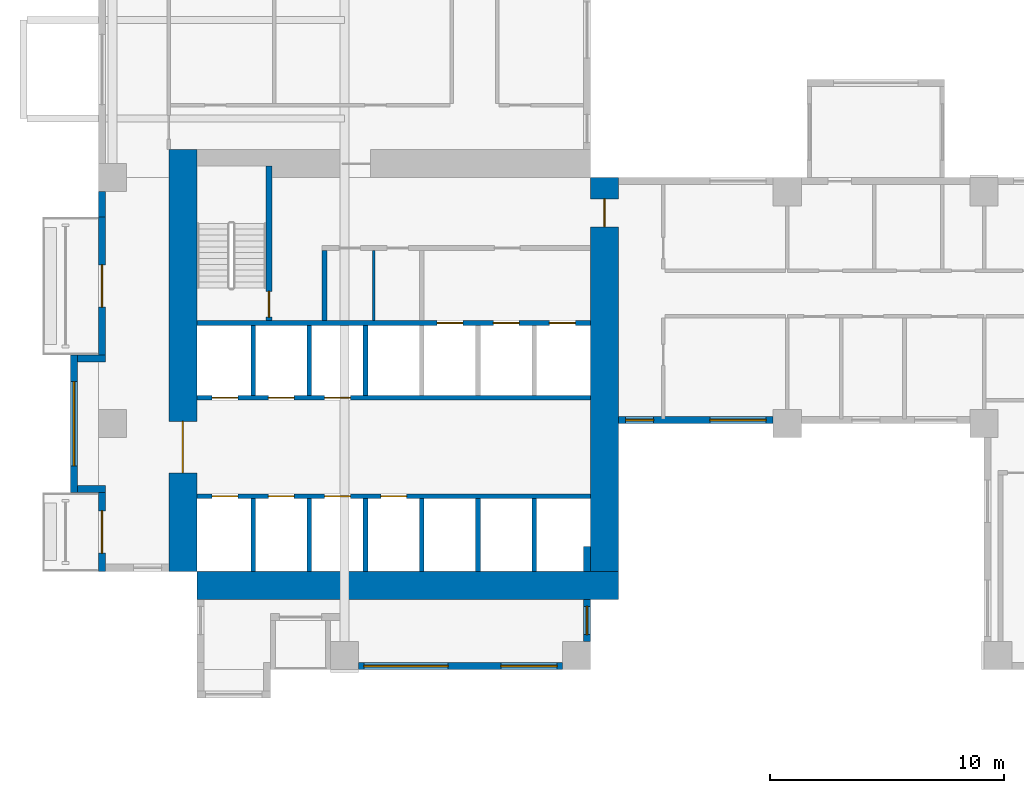
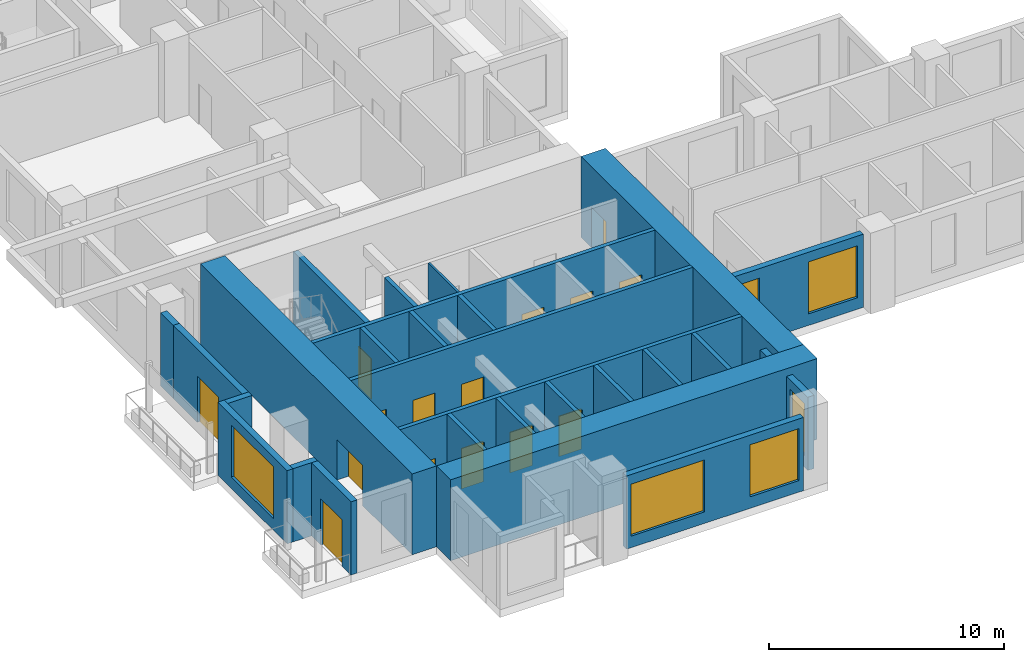
# One storey, part 2 of 14: 28 walls, 15 doors, 6 windows, 21 openings.
"""IFC4 building model written with IfcOpenShell, lengths in metres."""

from ifc_helpers import new_model, si_unit, direction, frame, frame_2d, origin, place, context, subcontext, project, spatial, rectangle, extrude, source, transform, mapped, material, layer, layer_set, type_object, element, fill, save


model = new_model("IFC4")

# Units and contexts
model_context = context("Model", 3, precision=1e-05, world=origin(), true_north=direction((0.0, 1.0)))
body_context = subcontext(model_context, "Body", "Model", "MODEL_VIEW")
ifc_project = project(units=[si_unit("LENGTHUNIT", "METRE"), si_unit("AREAUNIT", "SQUARE_METRE"), si_unit("VOLUMEUNIT", "CUBIC_METRE"), si_unit("PLANEANGLEUNIT", "RADIAN"), si_unit("MASSUNIT", "GRAM", prefix="KILO")], contexts=[model_context])

# Site, building, storey
site_placement = place(None, origin())
site = spatial("IfcSite", under=ifc_project, at=site_placement, CompositionType="ELEMENT")
building_placement = place(site_placement, origin())
building = spatial("IfcBuilding", under=site, at=building_placement, Name="Aurelian Terraces", CompositionType="ELEMENT")
storey_placement = place(building_placement, frame((0.0, 0.0, 53.1)))
storey = spatial("IfcBuildingStorey", under=building, at=storey_placement, Name="L10", CompositionType="ELEMENT", Elevation=53.1)

# Wall, opening, door
ifc_material_1 = material(Name="Concrete fc' 83 MPa", Category="concrete")
ifc_layer_1 = layer(ifc_material_1, 1.2)
ifc_layer_set_1 = layer_set([ifc_layer_1], Name="CORE WALL 1200 FC83")
wall_type_1 = type_object("IfcWallType", Name="CORE WALL 1200 FC83", PredefinedType="SHEAR", material=ifc_layer_set_1)
shared_shape_1 = source(origin(), body_context, "Body", "SweptSolid", [
    extrude(rectangle(XDim=18.0, YDim=1.2, at=frame_2d((9.0, 0.0))), origin(), (0.0, 0.0, 1.0), 4.2),
])
wall_1_placement = place(storey_placement, frame((3.6, 4.2, 0.0), z_axis=(0.0, 0.0, 1.0), x_axis=(0.0, 1.0, 0.0)))
wall_1 = element("IfcWall", 1, at=wall_1_placement, inside=storey, type_object=wall_type_1, Name="Core wall W L10", PredefinedType="SHEAR", context=body_context, shape_type="MappedRepresentation", body=[
    mapped(shared_shape_1, transform((0.0, 0.0, 0.0), scale=1.0)),
])
shared_shape_2 = source(origin(), body_context, "Body", "SweptSolid", [
    extrude(rectangle(XDim=2.2, YDim=2.1, at=frame_2d((1.1, 1.05))), frame((0.0, 0.61, 0.0), z_axis=(0.0, -1.0, 0.0), x_axis=(1.0, 0.0, 0.0)), (0.0, 0.0, 1.0), 1.22),
])
opening_1_placement = place(wall_1_placement, frame((4.2, 0.0, 0.0)))
opening_1 = element("IfcOpeningElement", 2, at=opening_1_placement, cuts=wall_1, Name="Opening 61320", PredefinedType="OPENING", context=body_context, shape_type="MappedRepresentation", body=[
    mapped(shared_shape_2, transform((0.0, 0.0, 0.0), scale=1.0)),
])
ifc_material_2 = material(Name="Steel door leaf", Category="steel")
door_type_1 = type_object("IfcDoorType", Name="Core double door 2200x2100", OperationType="DOUBLE_DOOR_SINGLE_SWING", PredefinedType="DOOR", material=ifc_material_2)
shared_shape_3 = source(origin(), body_context, "Body", "SweptSolid", [
    extrude(rectangle(XDim=2.2, YDim=2.1, at=frame_2d((1.1, 1.05))), frame((0.0, 0.025, 0.0), z_axis=(0.0, -1.0, 0.0), x_axis=(1.0, 0.0, 0.0)), (0.0, 0.0, 1.0), 0.05),
])
door_1_placement = place(opening_1_placement, origin())
door_1 = element("IfcDoor", 3, at=door_1_placement, inside=storey, type_object=door_type_1, Name="Core door 61320", OperationType="DOUBLE_DOOR_SINGLE_SWING", OverallHeight=2.1, OverallWidth=2.2, PredefinedType="DOOR", context=body_context, shape_type="MappedRepresentation", body=[
    mapped(shared_shape_3, transform((0.0, 0.0, 0.0), scale=1.0)),
])
fill(opening_1, door_1)

# Wall
wall_2_placement = place(storey_placement, frame((4.2, 3.6, 0.0), z_axis=(0.0, 0.0, 1.0), x_axis=(1.0, 0.0, 0.0)))
element("IfcWall", 4, at=wall_2_placement, inside=storey, type_object=wall_type_1, Name="Core wall S L10", PredefinedType="SHEAR", context=body_context, shape_type="MappedRepresentation", body=[
    mapped(shared_shape_1, transform((0.0, 0.0, 0.0), scale=1.0)),
])

# Wall, opening, door
shared_shape_4 = source(origin(), body_context, "Body", "SweptSolid", [
    extrude(rectangle(XDim=16.8, YDim=1.2, at=frame_2d((8.4, 0.0))), origin(), (0.0, 0.0, 1.0), 4.2),
])
wall_3_placement = place(storey_placement, frame((21.6, 4.2, 0.0), z_axis=(0.0, 0.0, 1.0), x_axis=(0.0, 1.0, 0.0)))
wall_3 = element("IfcWall", 5, at=wall_3_placement, inside=storey, type_object=wall_type_1, Name="Core wall E L10", PredefinedType="SHEAR", context=body_context, shape_type="MappedRepresentation", body=[
    mapped(shared_shape_4, transform((0.0, 0.0, 0.0), scale=1.0)),
])
shared_shape_5 = source(origin(), body_context, "Body", "SweptSolid", [
    extrude(rectangle(XDim=1.2, YDim=2.1, at=frame_2d((0.6, 1.05))), frame((0.0, 0.61, 0.0), z_axis=(0.0, -1.0, 0.0), x_axis=(1.0, 0.0, 0.0)), (0.0, 0.0, 1.0), 1.22),
])
opening_2_placement = place(wall_3_placement, frame((14.7, 0.0, 0.0)))
opening_2 = element("IfcOpeningElement", 6, at=opening_2_placement, cuts=wall_3, Name="Opening 61322", PredefinedType="OPENING", context=body_context, shape_type="MappedRepresentation", body=[
    mapped(shared_shape_5, transform((0.0, 0.0, 0.0), scale=1.0)),
])
door_type_2 = type_object("IfcDoorType", Name="Core fire door 1200x2100 right", OperationType="SINGLE_SWING_RIGHT", PredefinedType="DOOR", material=ifc_material_2)
shared_shape_6 = source(origin(), body_context, "Body", "SweptSolid", [
    extrude(rectangle(XDim=1.2, YDim=2.1, at=frame_2d((0.6, 1.05))), frame((0.0, 0.025, 0.0), z_axis=(0.0, -1.0, 0.0), x_axis=(1.0, 0.0, 0.0)), (0.0, 0.0, 1.0), 0.05),
])
door_2_placement = place(opening_2_placement, origin())
door_2 = element("IfcDoor", 7, at=door_2_placement, inside=storey, type_object=door_type_2, Name="Core door 61322", OperationType="SINGLE_SWING_RIGHT", OverallHeight=2.1, OverallWidth=1.2, PredefinedType="DOOR", context=body_context, shape_type="MappedRepresentation", body=[
    mapped(shared_shape_6, transform((0.0, 0.0, 0.0), scale=1.0)),
])
fill(opening_2, door_2)

# Walls
ifc_material_3 = material(Name="Terracotta rainscreen cladding", Category="masonry")
ifc_layer_2 = layer(ifc_material_3, 0.3)
ifc_layer_set_2 = layer_set([ifc_layer_2], Name="EW-300")
wall_type_2 = type_object("IfcWallType", Name="EW-300", PredefinedType="STANDARD", material=ifc_layer_set_2)
shared_shape_7 = source(origin(), body_context, "Body", "SweptSolid", [
    extrude(rectangle(XDim=1.2, YDim=0.3, at=frame_2d((0.6, 0.0))), origin(), (0.0, 0.0, 1.0), 3.8),
])
for number, where, z_axis, x_axis, name in (
    (8, (0.3, 13.29, 0.0), (0.0, 0.0, 1.0), (-1.0, 0.0, 0.0), "Bay return L10 F18.41.1"),
    (9, (0.3, 7.71, 0.0), (0.0, 0.0, 1.0), (-1.0, 0.0, 0.0), "Bay return L10 F18.41.2"),
):
    element("IfcWall", number, at=place(storey_placement, frame(where, z_axis=z_axis, x_axis=x_axis)), inside=storey, type_object=wall_type_2, Name=name, PredefinedType="STANDARD", context=body_context, shape_type="MappedRepresentation", body=[
        mapped(shared_shape_7, transform((0.0, 0.0, 0.0), scale=1.0)),
    ])

# Wall, opening, door
shared_shape_8 = source(origin(), body_context, "Body", "SweptSolid", [
    extrude(rectangle(XDim=5.88, YDim=0.3, at=frame_2d((2.94, 0.0))), origin(), (0.0, 0.0, 1.0), 3.8),
])
wall_4_placement = place(storey_placement, frame((0.15, 19.32, 0.0), z_axis=(0.0, 0.0, 1.0), x_axis=(0.0, -1.0, 0.0)))
wall_4 = element("IfcWall", 10, at=wall_4_placement, inside=storey, type_object=wall_type_2, Name="External wall L10 F18.40", PredefinedType="STANDARD", context=body_context, shape_type="MappedRepresentation", body=[
    mapped(shared_shape_8, transform((0.0, 0.0, 0.0), scale=1.0)),
])
shared_shape_9 = source(origin(), body_context, "Body", "SweptSolid", [
    extrude(rectangle(XDim=1.8, YDim=2.4, at=frame_2d((0.9, 1.2))), frame((0.0, 0.16, 0.0), z_axis=(0.0, -1.0, 0.0), x_axis=(1.0, 0.0, 0.0)), (0.0, 0.0, 1.0), 0.32),
])
opening_3_placement = place(wall_4_placement, frame((2.04, 0.0, 0.0)))
opening_3 = element("IfcOpeningElement", 11, at=opening_3_placement, cuts=wall_4, Name="Opening 81002", PredefinedType="OPENING", context=body_context, shape_type="MappedRepresentation", body=[
    mapped(shared_shape_9, transform((0.0, 0.0, 0.0), scale=1.0)),
])
ifc_material_4 = material(Name="Clear glazing", Category="glass")
door_type_3 = type_object("IfcDoorType", Name="BD-1800x2400", OperationType="SLIDING_TO_LEFT", PredefinedType="DOOR", material=ifc_material_4)
shared_shape_10 = source(origin(), body_context, "Body", "SweptSolid", [
    extrude(rectangle(XDim=1.8, YDim=2.4, at=frame_2d((0.9, 1.2))), frame((0.0, 0.025, 0.0), z_axis=(0.0, -1.0, 0.0), x_axis=(1.0, 0.0, 0.0)), (0.0, 0.0, 1.0), 0.05),
])
door_3_placement = place(opening_3_placement, origin())
door_3 = element("IfcDoor", 12, at=door_3_placement, inside=storey, type_object=door_type_3, Name="Balcony door L10 F18.40", OperationType="SLIDING_TO_LEFT", OverallHeight=2.4, OverallWidth=1.8, PredefinedType="DOOR", context=body_context, shape_type="MappedRepresentation", body=[
    mapped(shared_shape_10, transform((0.0, 0.0, 0.0), scale=1.0)),
])
fill(opening_3, door_3)

# Wall, opening, window
wall_5_placement = place(storey_placement, frame((-1.05, 13.44, 0.0), z_axis=(0.0, 0.0, 1.0), x_axis=(0.0, -1.0, 0.0)))
wall_5 = element("IfcWall", 13, at=wall_5_placement, inside=storey, type_object=wall_type_2, Name="Bay wall L10 F18.41", PredefinedType="STANDARD", context=body_context, shape_type="MappedRepresentation", body=[
    mapped(shared_shape_8, transform((0.0, 0.0, 0.0), scale=1.0)),
])
shared_shape_11 = source(origin(), body_context, "Body", "SweptSolid", [
    extrude(rectangle(XDim=3.6, YDim=2.7, at=frame_2d((1.8, 1.35))), frame((0.0, 0.16, 0.0), z_axis=(0.0, -1.0, 0.0), x_axis=(1.0, 0.0, 0.0)), (0.0, 0.0, 1.0), 0.32),
])
opening_4_placement = place(wall_5_placement, frame((1.14, 0.0, 0.6)))
opening_4 = element("IfcOpeningElement", 14, at=opening_4_placement, cuts=wall_5, Name="Opening W3627", PredefinedType="OPENING", context=body_context, shape_type="MappedRepresentation", body=[
    mapped(shared_shape_11, transform((0.0, 0.0, 0.0), scale=1.0)),
])
window_type_1 = type_object("IfcWindowType", Name="W-3600x2700", PartitioningType="SINGLE_PANEL", PredefinedType="WINDOW", material=ifc_material_4)
shared_shape_12 = source(origin(), body_context, "Body", "SweptSolid", [
    extrude(rectangle(XDim=3.6, YDim=2.7, at=frame_2d((1.8, 1.35))), frame((0.0, 0.03, 0.0), z_axis=(0.0, -1.0, 0.0), x_axis=(1.0, 0.0, 0.0)), (0.0, 0.0, 1.0), 0.06),
])
window_1_placement = place(opening_4_placement, origin())
window_1 = element("IfcWindow", 15, at=window_1_placement, inside=storey, type_object=window_type_1, Name="Window L10 L10-F18-41-0", OverallHeight=2.7, OverallWidth=3.6, PartitioningType="SINGLE_PANEL", PredefinedType="WINDOW", context=body_context, shape_type="MappedRepresentation", body=[
    mapped(shared_shape_12, transform((0.0, 0.0, 0.0), scale=1.0)),
])
fill(opening_4, window_1)

shared_shape_13 = source(origin(), body_context, "Body", "SweptSolid", [
    extrude(rectangle(XDim=1.8, YDim=0.3, at=frame_2d((0.9, 0.0))), origin(), (0.0, 0.0, 1.0), 3.8),
])
wall_6_placement = place(storey_placement, frame((20.85, 1.2, 0.0), z_axis=(0.0, 0.0, 1.0), x_axis=(0.0, 1.0, 0.0)))
wall_6 = element("IfcWall", 16, at=wall_6_placement, inside=storey, type_object=wall_type_2, Name="External wall L10 F02.4", PredefinedType="STANDARD", context=body_context, shape_type="MappedRepresentation", body=[
    mapped(shared_shape_13, transform((0.0, 0.0, 0.0), scale=1.0)),
])
shared_shape_14 = source(origin(), body_context, "Body", "SweptSolid", [
    extrude(rectangle(XDim=1.2, YDim=2.7, at=frame_2d((0.6, 1.35))), frame((0.0, 0.16, 0.0), z_axis=(0.0, -1.0, 0.0), x_axis=(1.0, 0.0, 0.0)), (0.0, 0.0, 1.0), 0.32),
])
opening_5_placement = place(wall_6_placement, frame((0.3, 0.0, 0.6)))
opening_5 = element("IfcOpeningElement", 17, at=opening_5_placement, cuts=wall_6, Name="Opening W1227", PredefinedType="OPENING", context=body_context, shape_type="MappedRepresentation", body=[
    mapped(shared_shape_14, transform((0.0, 0.0, 0.0), scale=1.0)),
])
window_type_2 = type_object("IfcWindowType", Name="W-1200x2700", PartitioningType="SINGLE_PANEL", PredefinedType="WINDOW", material=ifc_material_4)
shared_shape_15 = source(origin(), body_context, "Body", "SweptSolid", [
    extrude(rectangle(XDim=1.2, YDim=2.7, at=frame_2d((0.6, 1.35))), frame((0.0, 0.03, 0.0), z_axis=(0.0, -1.0, 0.0), x_axis=(1.0, 0.0, 0.0)), (0.0, 0.0, 1.0), 0.06),
])
window_2_placement = place(opening_5_placement, origin())
window_2 = element("IfcWindow", 18, at=window_2_placement, inside=storey, type_object=window_type_2, Name="Window L10 L10-F02-04-P0", OverallHeight=2.7, OverallWidth=1.2, PartitioningType="SINGLE_PANEL", PredefinedType="WINDOW", context=body_context, shape_type="MappedRepresentation", body=[
    mapped(shared_shape_15, transform((0.0, 0.0, 0.0), scale=1.0)),
])
fill(opening_5, window_2)

# Wall
shared_shape_16 = source(origin(), body_context, "Body", "SweptSolid", [
    extrude(rectangle(XDim=1.08, YDim=0.3, at=frame_2d((0.54, 0.0))), origin(), (0.0, 0.0, 1.0), 3.8),
])
wall_7_placement = place(storey_placement, frame((0.15, 20.4, 0.0), z_axis=(0.0, 0.0, 1.0), x_axis=(0.0, -1.0, 0.0)))
element("IfcWall", 19, at=wall_7_placement, inside=storey, type_object=wall_type_2, Name="External wall L10 F18.39", PredefinedType="STANDARD", context=body_context, shape_type="MappedRepresentation", body=[
    mapped(shared_shape_16, transform((0.0, 0.0, 0.0), scale=1.0)),
])

# Wall, openings, windows
shared_shape_17 = source(origin(), body_context, "Body", "SweptSolid", [
    extrude(rectangle(XDim=6.6, YDim=0.3, at=frame_2d((3.3, 0.0))), origin(), (0.0, 0.0, 1.0), 3.8),
])
wall_8_placement = place(storey_placement, frame((22.2, 10.65, 0.0), z_axis=(0.0, 0.0, 1.0), x_axis=(1.0, 0.0, 0.0)))
wall_8 = element("IfcWall", 20, at=wall_8_placement, inside=storey, type_object=wall_type_2, Name="External wall L10 F03.6", PredefinedType="STANDARD", context=body_context, shape_type="MappedRepresentation", body=[
    mapped(shared_shape_17, transform((0.0, 0.0, 0.0), scale=1.0)),
])
opening_6_placement = place(wall_8_placement, frame((0.3, 0.0, 0.6)))
opening_6 = element("IfcOpeningElement", 21, at=opening_6_placement, cuts=wall_8, Name="Opening W1227", PredefinedType="OPENING", context=body_context, shape_type="MappedRepresentation", body=[
    mapped(shared_shape_14, transform((0.0, 0.0, 0.0), scale=1.0)),
])
shared_shape_18 = source(origin(), body_context, "Body", "SweptSolid", [
    extrude(rectangle(XDim=2.4, YDim=2.7, at=frame_2d((1.2, 1.35))), frame((0.0, 0.16, 0.0), z_axis=(0.0, -1.0, 0.0), x_axis=(1.0, 0.0, 0.0)), (0.0, 0.0, 1.0), 0.32),
])
opening_7_placement = place(wall_8_placement, frame((3.9, 0.0, 0.6)))
opening_7 = element("IfcOpeningElement", 22, at=opening_7_placement, cuts=wall_8, Name="Opening W2427", PredefinedType="OPENING", context=body_context, shape_type="MappedRepresentation", body=[
    mapped(shared_shape_18, transform((0.0, 0.0, 0.0), scale=1.0)),
])
window_type_3 = type_object("IfcWindowType", Name="W-2400x2700", PartitioningType="SINGLE_PANEL", PredefinedType="WINDOW", material=ifc_material_4)
shared_shape_19 = source(origin(), body_context, "Body", "SweptSolid", [
    extrude(rectangle(XDim=2.4, YDim=2.7, at=frame_2d((1.2, 1.35))), frame((0.0, 0.03, 0.0), z_axis=(0.0, -1.0, 0.0), x_axis=(1.0, 0.0, 0.0)), (0.0, 0.0, 1.0), 0.06),
])
window_3_placement = place(opening_7_placement, origin())
window_3 = element("IfcWindow", 23, at=window_3_placement, inside=storey, type_object=window_type_3, Name="Window L10 L10-F03-06-1", OverallHeight=2.7, OverallWidth=2.4, PartitioningType="SINGLE_PANEL", PredefinedType="WINDOW", context=body_context, shape_type="MappedRepresentation", body=[
    mapped(shared_shape_19, transform((0.0, 0.0, 0.0), scale=1.0)),
])
fill(opening_7, window_3)
window_4_placement = place(opening_6_placement, origin())
window_4 = element("IfcWindow", 24, at=window_4_placement, inside=storey, type_object=window_type_2, Name="Window L10 L10-F03-06-0", OverallHeight=2.7, OverallWidth=1.2, PartitioningType="SINGLE_PANEL", PredefinedType="WINDOW", context=body_context, shape_type="MappedRepresentation", body=[
    mapped(shared_shape_15, transform((0.0, 0.0, 0.0), scale=1.0)),
])
fill(opening_6, window_4)

shared_shape_20 = source(origin(), body_context, "Body", "SweptSolid", [
    extrude(rectangle(XDim=8.7, YDim=0.3, at=frame_2d((4.35, 0.0))), origin(), (0.0, 0.0, 1.0), 3.8),
])
wall_9_placement = place(storey_placement, frame((11.1, 0.15, 0.0), z_axis=(0.0, 0.0, 1.0), x_axis=(1.0, 0.0, 0.0)))
wall_9 = element("IfcWall", 25, at=wall_9_placement, inside=storey, type_object=wall_type_2, Name="External wall L10 F01.3", PredefinedType="STANDARD", context=body_context, shape_type="MappedRepresentation", body=[
    mapped(shared_shape_20, transform((0.0, 0.0, 0.0), scale=1.0)),
])
opening_8_placement = place(wall_9_placement, frame((0.225, 0.0, 0.6)))
opening_8 = element("IfcOpeningElement", 26, at=opening_8_placement, cuts=wall_9, Name="Opening W3627", PredefinedType="OPENING", context=body_context, shape_type="MappedRepresentation", body=[
    mapped(shared_shape_11, transform((0.0, 0.0, 0.0), scale=1.0)),
])
opening_9_placement = place(wall_9_placement, frame((6.075, 0.0, 0.6)))
opening_9 = element("IfcOpeningElement", 27, at=opening_9_placement, cuts=wall_9, Name="Opening W2427", PredefinedType="OPENING", context=body_context, shape_type="MappedRepresentation", body=[
    mapped(shared_shape_18, transform((0.0, 0.0, 0.0), scale=1.0)),
])
window_5_placement = place(opening_8_placement, origin())
window_5 = element("IfcWindow", 28, at=window_5_placement, inside=storey, type_object=window_type_1, Name="Window L10 L10-F01-03-0", OverallHeight=2.7, OverallWidth=3.6, PartitioningType="SINGLE_PANEL", PredefinedType="WINDOW", context=body_context, shape_type="MappedRepresentation", body=[
    mapped(shared_shape_12, transform((0.0, 0.0, 0.0), scale=1.0)),
])
fill(opening_8, window_5)
window_6_placement = place(opening_9_placement, origin())
window_6 = element("IfcWindow", 29, at=window_6_placement, inside=storey, type_object=window_type_3, Name="Window L10 L10-F01-03-1", OverallHeight=2.7, OverallWidth=2.4, PartitioningType="SINGLE_PANEL", PredefinedType="WINDOW", context=body_context, shape_type="MappedRepresentation", body=[
    mapped(shared_shape_19, transform((0.0, 0.0, 0.0), scale=1.0)),
])
fill(opening_9, window_6)

# Wall, opening, door
shared_shape_21 = source(origin(), body_context, "Body", "SweptSolid", [
    extrude(rectangle(XDim=3.36, YDim=0.3, at=frame_2d((1.68, 0.0))), origin(), (0.0, 0.0, 1.0), 3.8),
])
wall_10_placement = place(storey_placement, frame((0.15, 7.56, 0.0), z_axis=(0.0, 0.0, 1.0), x_axis=(0.0, -1.0, 0.0)))
wall_10 = element("IfcWall", 30, at=wall_10_placement, inside=storey, type_object=wall_type_2, Name="External wall L10 F18.42", PredefinedType="STANDARD", context=body_context, shape_type="MappedRepresentation", body=[
    mapped(shared_shape_21, transform((0.0, 0.0, 0.0), scale=1.0)),
])
opening_10_placement = place(wall_10_placement, frame((0.78, 0.0, 0.0)))
opening_10 = element("IfcOpeningElement", 31, at=opening_10_placement, cuts=wall_10, Name="Opening 81003", PredefinedType="OPENING", context=body_context, shape_type="MappedRepresentation", body=[
    mapped(shared_shape_9, transform((0.0, 0.0, 0.0), scale=1.0)),
])
door_4_placement = place(opening_10_placement, origin())
door_4 = element("IfcDoor", 32, at=door_4_placement, inside=storey, type_object=door_type_3, Name="Balcony door L10 F18.42", OperationType="SLIDING_TO_LEFT", OverallHeight=2.4, OverallWidth=1.8, PredefinedType="DOOR", context=body_context, shape_type="MappedRepresentation", body=[
    mapped(shared_shape_10, transform((0.0, 0.0, 0.0), scale=1.0)),
])
fill(opening_10, door_4)

# Walls
shared_shape_22 = source(origin(), body_context, "Body", "SweptSolid", [
    extrude(rectangle(XDim=1.05, YDim=0.3, at=frame_2d((0.525, 0.0))), origin(), (0.0, 0.0, 1.0), 3.8),
])
wall_11_placement = place(storey_placement, frame((20.85, 4.2, 0.0), z_axis=(0.0, 0.0, 1.0), x_axis=(0.0, 1.0, 0.0)))
element("IfcWall", 33, at=wall_11_placement, inside=storey, type_object=wall_type_2, Name="External wall L10 F02.4", PredefinedType="STANDARD", context=body_context, shape_type="MappedRepresentation", body=[
    mapped(shared_shape_22, transform((0.0, 0.0, 0.0), scale=1.0)),
])
ifc_material_5 = material(Name="Concrete fc' 40 MPa", Category="concrete")
ifc_layer_3 = layer(ifc_material_5, 0.2)
ifc_layer_set_3 = layer_set([ifc_layer_3], Name="Lift shaft wall 200")
wall_type_3 = type_object("IfcWallType", Name="Lift shaft wall 200", PredefinedType="SOLIDWALL", material=ifc_layer_set_3)
shared_shape_23 = source(origin(), body_context, "Body", "SweptSolid", [
    extrude(rectangle(XDim=3.1, YDim=0.2, at=frame_2d((1.55, 0.0))), origin(), (0.0, 0.0, 1.0), 4.2),
])
for number, where, z_axis, x_axis, name in (
    (34, (6.6, 4.2, 0.0), (0.0, 0.0, 1.0), (0.0, 1.0, 0.0), "L10 core wall CD-A1"),
    (35, (9.0, 4.2, 0.0), (0.0, 0.0, 1.0), (0.0, 1.0, 0.0), "L10 core wall CD-A2"),
    (36, (11.4, 4.2, 0.0), (0.0, 0.0, 1.0), (0.0, 1.0, 0.0), "L10 core wall CD-A3"),
    (37, (13.8, 4.2, 0.0), (0.0, 0.0, 1.0), (0.0, 1.0, 0.0), "L10 core wall CD-A4"),
    (38, (16.2, 4.2, 0.0), (0.0, 0.0, 1.0), (0.0, 1.0, 0.0), "L10 core wall CD-A5"),
    (39, (18.6, 4.2, 0.0), (0.0, 0.0, 1.0), (0.0, 1.0, 0.0), "L10 core wall CD-A6"),
):
    element("IfcWall", number, at=place(storey_placement, frame(where, z_axis=z_axis, x_axis=x_axis)), inside=storey, type_object=wall_type_3, Name=name, PredefinedType="SOLIDWALL", context=body_context, shape_type="MappedRepresentation", body=[
        mapped(shared_shape_23, transform((0.0, 0.0, 0.0), scale=1.0)),
    ])
shared_shape_24 = source(origin(), body_context, "Body", "SweptSolid", [
    extrude(rectangle(XDim=3.0, YDim=0.2, at=frame_2d((1.5, 0.0))), origin(), (0.0, 0.0, 1.0), 4.2),
])
for number, where, z_axis, x_axis, name in (
    (40, (6.6, 11.7, 0.0), (0.0, 0.0, 1.0), (0.0, 1.0, 0.0), "L10 core wall CD-B1"),
    (41, (9.0, 11.7, 0.0), (0.0, 0.0, 1.0), (0.0, 1.0, 0.0), "L10 core wall CD-B2"),
    (42, (11.4, 11.7, 0.0), (0.0, 0.0, 1.0), (0.0, 1.0, 0.0), "L10 core wall CD-B3"),
):
    element("IfcWall", number, at=place(storey_placement, frame(where, z_axis=z_axis, x_axis=x_axis)), inside=storey, type_object=wall_type_3, Name=name, PredefinedType="SOLIDWALL", context=body_context, shape_type="MappedRepresentation", body=[
        mapped(shared_shape_24, transform((0.0, 0.0, 0.0), scale=1.0)),
    ])

# Wall, openings, doors
shared_shape_25 = source(origin(), body_context, "Body", "SweptSolid", [
    extrude(rectangle(XDim=16.8, YDim=0.2, at=frame_2d((8.4, 0.0))), origin(), (0.0, 0.0, 1.0), 4.2),
])
wall_12_placement = place(storey_placement, frame((4.2, 7.4, 0.0), z_axis=(0.0, 0.0, 1.0), x_axis=(1.0, 0.0, 0.0)))
wall_12 = element("IfcWall", 43, at=wall_12_placement, inside=storey, type_object=wall_type_3, Name="L10 core wall CF-AF1", PredefinedType="SOLIDWALL", context=body_context, shape_type="MappedRepresentation", body=[
    mapped(shared_shape_25, transform((0.0, 0.0, 0.0), scale=1.0)),
])
shared_shape_26 = source(origin(), body_context, "Body", "SweptSolid", [
    extrude(rectangle(XDim=1.1, YDim=2.1, at=frame_2d((0.55, 1.05))), frame((0.0, 0.11, 0.0), z_axis=(0.0, -1.0, 0.0), x_axis=(1.0, 0.0, 0.0)), (0.0, 0.0, 1.0), 0.22),
])
opening_11_placement = place(wall_12_placement, frame((0.65, 0.0, 0.0)))
opening_11 = element("IfcOpeningElement", 44, at=opening_11_placement, cuts=wall_12, Name="Opening 61300", PredefinedType="OPENING", context=body_context, shape_type="MappedRepresentation", body=[
    mapped(shared_shape_26, transform((0.0, 0.0, 0.0), scale=1.0)),
])
opening_12_placement = place(wall_12_placement, frame((3.05, 0.0, 0.0)))
opening_12 = element("IfcOpeningElement", 45, at=opening_12_placement, cuts=wall_12, Name="Opening 61301", PredefinedType="OPENING", context=body_context, shape_type="MappedRepresentation", body=[
    mapped(shared_shape_26, transform((0.0, 0.0, 0.0), scale=1.0)),
])
opening_13_placement = place(wall_12_placement, frame((5.45, 0.0, 0.0)))
opening_13 = element("IfcOpeningElement", 46, at=opening_13_placement, cuts=wall_12, Name="Opening 61302", PredefinedType="OPENING", context=body_context, shape_type="MappedRepresentation", body=[
    mapped(shared_shape_26, transform((0.0, 0.0, 0.0), scale=1.0)),
])
opening_14_placement = place(wall_12_placement, frame((7.85, 0.0, 0.0)))
opening_14 = element("IfcOpeningElement", 47, at=opening_14_placement, cuts=wall_12, Name="Opening 61303", PredefinedType="OPENING", context=body_context, shape_type="MappedRepresentation", body=[
    mapped(shared_shape_26, transform((0.0, 0.0, 0.0), scale=1.0)),
])
ifc_material_6 = material(Name="Stainless steel", Category="steel")
door_type_4 = type_object("IfcDoorType", Name="Lift landing door 1100x2100", OperationType="SLIDING_TO_LEFT", PredefinedType="DOOR", material=ifc_material_6)
shared_shape_27 = source(origin(), body_context, "Body", "SweptSolid", [
    extrude(rectangle(XDim=1.1, YDim=2.1, at=frame_2d((0.55, 1.05))), frame((0.0, 0.025, 0.0), z_axis=(0.0, -1.0, 0.0), x_axis=(1.0, 0.0, 0.0)), (0.0, 0.0, 1.0), 0.05),
])
door_5_placement = place(opening_11_placement, origin())
door_5 = element("IfcDoor", 48, at=door_5_placement, inside=storey, type_object=door_type_4, Name="Lift landing door LL1 L10", OperationType="SLIDING_TO_LEFT", OverallHeight=2.1, OverallWidth=1.1, PredefinedType="DOOR", context=body_context, shape_type="MappedRepresentation", body=[
    mapped(shared_shape_27, transform((0.0, 0.0, 0.0), scale=1.0)),
])
fill(opening_11, door_5)
door_6_placement = place(opening_12_placement, origin())
door_6 = element("IfcDoor", 49, at=door_6_placement, inside=storey, type_object=door_type_4, Name="Lift landing door LL2 L10", OperationType="SLIDING_TO_LEFT", OverallHeight=2.1, OverallWidth=1.1, PredefinedType="DOOR", context=body_context, shape_type="MappedRepresentation", body=[
    mapped(shared_shape_27, transform((0.0, 0.0, 0.0), scale=1.0)),
])
fill(opening_12, door_6)
door_7_placement = place(opening_13_placement, origin())
door_7 = element("IfcDoor", 50, at=door_7_placement, inside=storey, type_object=door_type_4, Name="Lift landing door LL3 L10", OperationType="SLIDING_TO_LEFT", OverallHeight=2.1, OverallWidth=1.1, PredefinedType="DOOR", context=body_context, shape_type="MappedRepresentation", body=[
    mapped(shared_shape_27, transform((0.0, 0.0, 0.0), scale=1.0)),
])
fill(opening_13, door_7)
door_8_placement = place(opening_14_placement, origin())
door_8 = element("IfcDoor", 51, at=door_8_placement, inside=storey, type_object=door_type_4, Name="Lift landing door LL4 L10", OperationType="SLIDING_TO_LEFT", OverallHeight=2.1, OverallWidth=1.1, PredefinedType="DOOR", context=body_context, shape_type="MappedRepresentation", body=[
    mapped(shared_shape_27, transform((0.0, 0.0, 0.0), scale=1.0)),
])
fill(opening_14, door_8)

wall_13_placement = place(storey_placement, frame((4.2, 11.6, 0.0), z_axis=(0.0, 0.0, 1.0), x_axis=(1.0, 0.0, 0.0)))
wall_13 = element("IfcWall", 52, at=wall_13_placement, inside=storey, type_object=wall_type_3, Name="L10 core wall CF-BF1", PredefinedType="SOLIDWALL", context=body_context, shape_type="MappedRepresentation", body=[
    mapped(shared_shape_25, transform((0.0, 0.0, 0.0), scale=1.0)),
])
opening_15_placement = place(wall_13_placement, frame((0.65, 0.0, 0.0)))
opening_15 = element("IfcOpeningElement", 53, at=opening_15_placement, cuts=wall_13, Name="Opening 61304", PredefinedType="OPENING", context=body_context, shape_type="MappedRepresentation", body=[
    mapped(shared_shape_26, transform((0.0, 0.0, 0.0), scale=1.0)),
])
opening_16_placement = place(wall_13_placement, frame((3.05, 0.0, 0.0)))
opening_16 = element("IfcOpeningElement", 54, at=opening_16_placement, cuts=wall_13, Name="Opening 61305", PredefinedType="OPENING", context=body_context, shape_type="MappedRepresentation", body=[
    mapped(shared_shape_26, transform((0.0, 0.0, 0.0), scale=1.0)),
])
opening_17_placement = place(wall_13_placement, frame((5.45, 0.0, 0.0)))
opening_17 = element("IfcOpeningElement", 55, at=opening_17_placement, cuts=wall_13, Name="Opening 61306", PredefinedType="OPENING", context=body_context, shape_type="MappedRepresentation", body=[
    mapped(shared_shape_26, transform((0.0, 0.0, 0.0), scale=1.0)),
])
door_9_placement = place(opening_15_placement, origin())
door_9 = element("IfcDoor", 56, at=door_9_placement, inside=storey, type_object=door_type_4, Name="Lift landing door LL5 L10", OperationType="SLIDING_TO_LEFT", OverallHeight=2.1, OverallWidth=1.1, PredefinedType="DOOR", context=body_context, shape_type="MappedRepresentation", body=[
    mapped(shared_shape_27, transform((0.0, 0.0, 0.0), scale=1.0)),
])
fill(opening_15, door_9)
door_10_placement = place(opening_16_placement, origin())
door_10 = element("IfcDoor", 57, at=door_10_placement, inside=storey, type_object=door_type_4, Name="Lift landing door LL6 L10", OperationType="SLIDING_TO_LEFT", OverallHeight=2.1, OverallWidth=1.1, PredefinedType="DOOR", context=body_context, shape_type="MappedRepresentation", body=[
    mapped(shared_shape_27, transform((0.0, 0.0, 0.0), scale=1.0)),
])
fill(opening_16, door_10)
door_11_placement = place(opening_17_placement, origin())
door_11 = element("IfcDoor", 58, at=door_11_placement, inside=storey, type_object=door_type_4, Name="Lift landing door LL7 L10", OperationType="SLIDING_TO_LEFT", OverallHeight=2.1, OverallWidth=1.1, PredefinedType="DOOR", context=body_context, shape_type="MappedRepresentation", body=[
    mapped(shared_shape_27, transform((0.0, 0.0, 0.0), scale=1.0)),
])
fill(opening_17, door_11)

wall_14_placement = place(storey_placement, frame((4.2, 14.8, 0.0), z_axis=(0.0, 0.0, 1.0), x_axis=(1.0, 0.0, 0.0)))
wall_14 = element("IfcWall", 59, at=wall_14_placement, inside=storey, type_object=wall_type_3, Name="L10 core wall CF-BB1", PredefinedType="SOLIDWALL", context=body_context, shape_type="MappedRepresentation", body=[
    mapped(shared_shape_25, transform((0.0, 0.0, 0.0), scale=1.0)),
])
opening_18_placement = place(wall_14_placement, frame((10.25, 0.0, 0.0)))
opening_18 = element("IfcOpeningElement", 60, at=opening_18_placement, cuts=wall_14, Name="Opening 61307", PredefinedType="OPENING", context=body_context, shape_type="MappedRepresentation", body=[
    mapped(shared_shape_26, transform((0.0, 0.0, 0.0), scale=1.0)),
])
opening_19_placement = place(wall_14_placement, frame((12.65, 0.0, 0.0)))
opening_19 = element("IfcOpeningElement", 61, at=opening_19_placement, cuts=wall_14, Name="Opening 61308", PredefinedType="OPENING", context=body_context, shape_type="MappedRepresentation", body=[
    mapped(shared_shape_26, transform((0.0, 0.0, 0.0), scale=1.0)),
])
opening_20_placement = place(wall_14_placement, frame((15.05, 0.0, 0.0)))
opening_20 = element("IfcOpeningElement", 62, at=opening_20_placement, cuts=wall_14, Name="Opening 61309", PredefinedType="OPENING", context=body_context, shape_type="MappedRepresentation", body=[
    mapped(shared_shape_26, transform((0.0, 0.0, 0.0), scale=1.0)),
])
door_12_placement = place(opening_18_placement, origin())
door_12 = element("IfcDoor", 63, at=door_12_placement, inside=storey, type_object=door_type_4, Name="Lift landing door F1 L10", OperationType="SLIDING_TO_LEFT", OverallHeight=2.1, OverallWidth=1.1, PredefinedType="DOOR", context=body_context, shape_type="MappedRepresentation", body=[
    mapped(shared_shape_27, transform((0.0, 0.0, 0.0), scale=1.0)),
])
fill(opening_18, door_12)
door_13_placement = place(opening_19_placement, origin())
door_13 = element("IfcDoor", 64, at=door_13_placement, inside=storey, type_object=door_type_4, Name="Lift landing door F2 L10", OperationType="SLIDING_TO_LEFT", OverallHeight=2.1, OverallWidth=1.1, PredefinedType="DOOR", context=body_context, shape_type="MappedRepresentation", body=[
    mapped(shared_shape_27, transform((0.0, 0.0, 0.0), scale=1.0)),
])
fill(opening_19, door_13)
door_14_placement = place(opening_20_placement, origin())
door_14 = element("IfcDoor", 65, at=door_14_placement, inside=storey, type_object=door_type_4, Name="Lift landing door F3 L10", OperationType="SLIDING_TO_LEFT", OverallHeight=2.1, OverallWidth=1.1, PredefinedType="DOOR", context=body_context, shape_type="MappedRepresentation", body=[
    mapped(shared_shape_27, transform((0.0, 0.0, 0.0), scale=1.0)),
])
fill(opening_20, door_14)

# Walls
ifc_material_7 = material(Name="Gypsum board on steel studs", Category="steel")
ifc_layer_4 = layer(ifc_material_7, 0.2)
ifc_layer_set_4 = layer_set([ifc_layer_4], Name="Core partition 200")
wall_type_4 = type_object("IfcWallType", Name="Core partition 200", PredefinedType="PARTITIONING", material=ifc_layer_set_4)
shared_shape_28 = source(origin(), body_context, "Body", "SweptSolid", [
    extrude(rectangle(XDim=3.0, YDim=0.2, at=frame_2d((1.5, 0.0))), origin(), (0.0, 0.0, 1.0), 3.8),
])
wall_15_placement = place(storey_placement, frame((9.65, 14.9, 0.0), z_axis=(0.0, 0.0, 1.0), x_axis=(0.0, 1.0, 0.0)))
element("IfcWall", 66, at=wall_15_placement, inside=storey, type_object=wall_type_4, Name="L10 core wall CP-VEST", PredefinedType="PARTITIONING", context=body_context, shape_type="MappedRepresentation", body=[
    mapped(shared_shape_28, transform((0.0, 0.0, 0.0), scale=1.0)),
])
ifc_layer_5 = layer(ifc_material_7, 0.1)
ifc_layer_set_5 = layer_set([ifc_layer_5], Name="Core partition 100")
wall_type_5 = type_object("IfcWallType", Name="Core partition 100", PredefinedType="PARTITIONING", material=ifc_layer_set_5)
shared_shape_29 = source(origin(), body_context, "Body", "SweptSolid", [
    extrude(rectangle(XDim=3.0, YDim=0.1, at=frame_2d((1.5, 0.0))), origin(), (0.0, 0.0, 1.0), 3.8),
])
wall_16_placement = place(storey_placement, frame((11.75, 14.9, 0.0), z_axis=(0.0, 0.0, 1.0), x_axis=(0.0, 1.0, 0.0)))
element("IfcWall", 67, at=wall_16_placement, inside=storey, type_object=wall_type_5, Name="L10 core wall CP-SV1", PredefinedType="PARTITIONING", context=body_context, shape_type="MappedRepresentation", body=[
    mapped(shared_shape_29, transform((0.0, 0.0, 0.0), scale=1.0)),
])

# Wall, opening, door
ifc_layer_6 = layer(ifc_material_5, 0.25)
ifc_layer_set_6 = layer_set([ifc_layer_6], Name="Stair enclosure wall 250")
wall_type_6 = type_object("IfcWallType", Name="Stair enclosure wall 250", PredefinedType="SOLIDWALL", material=ifc_layer_set_6)
shared_shape_30 = source(origin(), body_context, "Body", "SweptSolid", [
    extrude(rectangle(XDim=6.6, YDim=0.25, at=frame_2d((3.3, 0.0))), origin(), (0.0, 0.0, 1.0), 3.8),
])
wall_17_placement = place(storey_placement, frame((7.275, 14.9, 0.0), z_axis=(0.0, 0.0, 1.0), x_axis=(0.0, 1.0, 0.0)))
wall_17 = element("IfcWall", 68, at=wall_17_placement, inside=storey, type_object=wall_type_6, Name="L10 core wall ST-S1-E", PredefinedType="SOLIDWALL", context=body_context, shape_type="MappedRepresentation", body=[
    mapped(shared_shape_30, transform((0.0, 0.0, 0.0), scale=1.0)),
])
shared_shape_31 = source(origin(), body_context, "Body", "SweptSolid", [
    extrude(rectangle(XDim=1.1, YDim=2.1, at=frame_2d((0.55, 1.05))), frame((0.0, 0.135, 0.0), z_axis=(0.0, -1.0, 0.0), x_axis=(1.0, 0.0, 0.0)), (0.0, 0.0, 1.0), 0.27),
])
opening_21_placement = place(wall_17_placement, frame((0.15, 0.0, 0.0)))
opening_21 = element("IfcOpeningElement", 69, at=opening_21_placement, cuts=wall_17, Name="Opening 61310", PredefinedType="OPENING", context=body_context, shape_type="MappedRepresentation", body=[
    mapped(shared_shape_31, transform((0.0, 0.0, 0.0), scale=1.0)),
])
door_type_5 = type_object("IfcDoorType", Name="Core fire door 1100x2100 right", OperationType="SINGLE_SWING_RIGHT", PredefinedType="DOOR", material=ifc_material_2)
door_15_placement = place(opening_21_placement, origin())
door_15 = element("IfcDoor", 70, at=door_15_placement, inside=storey, type_object=door_type_5, Name="Stair door 61310", OperationType="SINGLE_SWING_RIGHT", OverallHeight=2.1, OverallWidth=1.1, PredefinedType="DOOR", context=body_context, shape_type="MappedRepresentation", body=[
    mapped(shared_shape_27, transform((0.0, 0.0, 0.0), scale=1.0)),
])
fill(opening_21, door_15)

save(model, "model.ifc")
